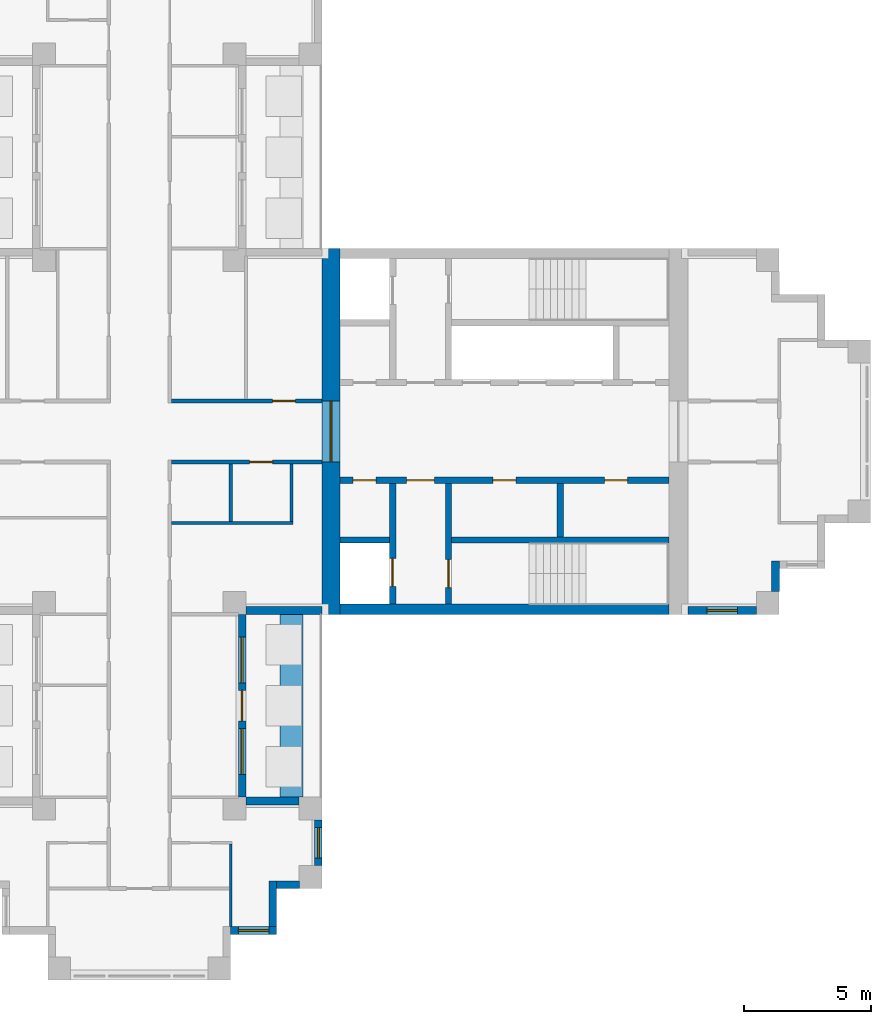
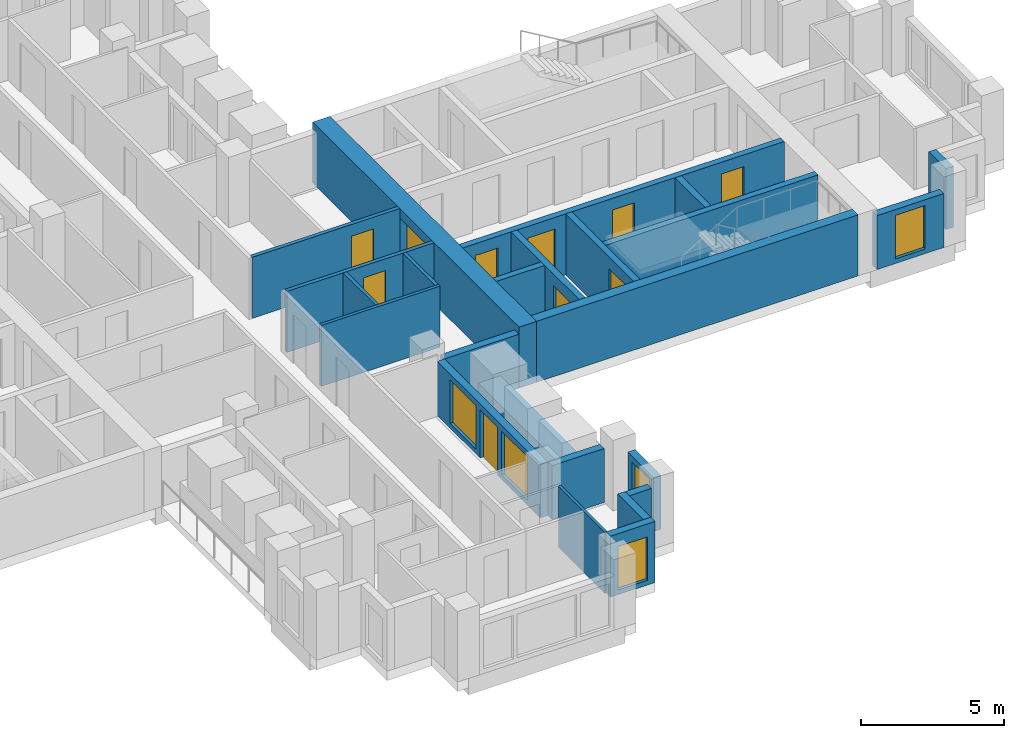
# One storey, part 5 of 10: 24 walls, 10 doors, 5 windows, 15 openings.
"""IFC4 building model written with IfcOpenShell, lengths in metres."""

from ifc_helpers import new_model, si_unit, direction, frame, frame_2d, origin, place, context, subcontext, project, spatial, rectangle, extrude, material, layer, layer_set, type_object, element, fill, save


model = new_model("IFC4")

# Units and contexts
model_context = context("Model", 3, precision=1e-05, world=origin(), true_north=direction((0.0, 1.0)))
body_context = subcontext(model_context, "Body", "Model", "MODEL_VIEW")
ifc_project = project(units=[si_unit("LENGTHUNIT", "METRE"), si_unit("AREAUNIT", "SQUARE_METRE"), si_unit("VOLUMEUNIT", "CUBIC_METRE"), si_unit("PLANEANGLEUNIT", "RADIAN"), si_unit("MASSUNIT", "GRAM", prefix="KILO")], contexts=[model_context])

# Site, building, storey
site_placement = place(None, origin())
site = spatial("IfcSite", under=ifc_project, at=site_placement, CompositionType="ELEMENT")
building_placement = place(site_placement, origin())
building = spatial("IfcBuilding", under=site, at=building_placement, Name="Fustian Cross Tower", CompositionType="ELEMENT")
storey_placement = place(building_placement, frame((0.0, 0.0, 201.89990234375)))
storey = spatial("IfcBuildingStorey", under=building, at=storey_placement, Name="L63", CompositionType="ELEMENT", Elevation=201.89990234375)

# Wall, opening, door
ifc_material_1 = material(Name="Plasterboard on steel stud", Category="steel")
ifc_layer_1 = layer(ifc_material_1, 0.14990234375)
ifc_layer_set_1 = layer_set([ifc_layer_1], Name="Plasterboard on steel stud")
wall_type_1 = type_object("IfcWallType", Name="COMPARTMENT WALL 150 EI 60", PredefinedType="PARTITIONING", material=ifc_layer_set_1)
wall_1_placement = place(storey_placement, frame((1.27490234375, -1.199951171875, 0.0), z_axis=(0.0, 0.0, 1.0), x_axis=(1.0, 0.0, 0.0)))
wall_1 = element("IfcWall", 1, at=wall_1_placement, inside=storey, type_object=wall_type_1, Name="Partition 36", PredefinedType="PARTITIONING", context=body_context, shape_type="SweptSolid", body=[
    extrude(rectangle(XDim=5.925048828125, YDim=0.14990234375, at=frame_2d((2.96240234375, 0.0))), origin(), (0.0, 0.0, 1.0), 2.60009765625),
])
opening_1_placement = place(wall_1_placement, frame((3.074951171875, 0.0, 0.0)))
opening_1 = element("IfcOpeningElement", 2, at=opening_1_placement, cuts=wall_1, Name="Opening D29007", PredefinedType="OPENING", context=body_context, shape_type="SweptSolid", body=[
    extrude(rectangle(XDim=0.89990234375, YDim=2.10009765625, at=frame_2d((0.449951171875, 1.050048828125))), frame((0.0, 0.0849609375, 0.0), z_axis=(0.0, -1.0, 0.0), x_axis=(1.0, 0.0, 0.0)), (0.0, 0.0, 1.0), 0.169921875),
])
ifc_material_2 = material(Name="Timber fire door set", Category="wood")
door_type_1 = type_object("IfcDoorType", Name="FIRE SWING DOOR 900 FD30S", OperationType="SINGLE_SWING_LEFT", PredefinedType="DOOR", material=ifc_material_2)
door_1_placement = place(opening_1_placement, frame((0.89990234375, 0.0, 0.0), z_axis=(0.0, 0.0, 1.0), x_axis=(-1.0, 0.0, 0.0)))
door_1 = element("IfcDoor", 3, at=door_1_placement, inside=storey, type_object=door_type_1, Name="Door D29007", OperationType="SINGLE_SWING_RIGHT", OverallHeight=2.10009765625, OverallWidth=0.89990234375, PredefinedType="DOOR", context=body_context, shape_type="SweptSolid", body=[
    extrude(rectangle(XDim=0.89990234375, YDim=2.10009765625, at=frame_2d((0.449951171875, 1.050048828125))), frame((0.0, 0.02490234375, 0.0), z_axis=(0.0, -1.0, 0.0), x_axis=(1.0, 0.0, 0.0)), (0.0, 0.0, 1.0), 0.050048828125),
])
fill(opening_1, door_1)

wall_2_placement = place(storey_placement, frame((1.27490234375, 1.199951171875, 0.0), z_axis=(0.0, 0.0, 1.0), x_axis=(1.0, 0.0, 0.0)))
wall_2 = element("IfcWall", 4, at=wall_2_placement, inside=storey, type_object=wall_type_1, Name="Partition 38", PredefinedType="PARTITIONING", context=body_context, shape_type="SweptSolid", body=[
    extrude(rectangle(XDim=5.925048828125, YDim=0.14990234375, at=frame_2d((2.96240234375, 0.0))), origin(), (0.0, 0.0, 1.0), 2.60009765625),
])
opening_2_placement = place(wall_2_placement, frame((3.97509765625, 0.0, 0.0)))
opening_2 = element("IfcOpeningElement", 5, at=opening_2_placement, cuts=wall_2, Name="Opening D29002", PredefinedType="OPENING", context=body_context, shape_type="SweptSolid", body=[
    extrude(rectangle(XDim=0.89990234375, YDim=2.10009765625, at=frame_2d((0.449951171875, 1.050048828125))), frame((0.0, 0.0849609375, 0.0), z_axis=(0.0, -1.0, 0.0), x_axis=(1.0, 0.0, 0.0)), (0.0, 0.0, 1.0), 0.169921875),
])
door_2_placement = place(opening_2_placement, origin())
door_2 = element("IfcDoor", 6, at=door_2_placement, inside=storey, type_object=door_type_1, Name="Door D29002", OperationType="SINGLE_SWING_RIGHT", OverallHeight=2.10009765625, OverallWidth=0.89990234375, PredefinedType="DOOR", context=body_context, shape_type="SweptSolid", body=[
    extrude(rectangle(XDim=0.89990234375, YDim=2.10009765625, at=frame_2d((0.449951171875, 1.050048828125))), frame((0.0, 0.02490234375, 0.0), z_axis=(0.0, -1.0, 0.0), x_axis=(1.0, 0.0, 0.0)), (0.0, 0.0, 1.0), 0.050048828125),
])
fill(opening_2, door_2)

ifc_material_3 = material(Name="Concrete C50/60", Category="concrete")
ifc_layer_2 = layer(ifc_material_3, 0.699951171875)
ifc_layer_set_2 = layer_set([ifc_layer_2], Name="Concrete C50/60")
wall_type_2 = type_object("IfcWallType", Name="CORE END WALL 700 C50/60", PredefinedType="SHEAR", material=ifc_layer_set_2)
wall_3_placement = place(storey_placement, frame((7.550048828125, -7.199951171875, 0.0), z_axis=(0.0, 0.0, 1.0), x_axis=(0.0, 1.0, 0.0)))
wall_3 = element("IfcWall", 7, at=wall_3_placement, inside=storey, type_object=wall_type_2, Name="Core end wall", PredefinedType="SHEAR", context=body_context, shape_type="SweptSolid", body=[
    extrude(rectangle(XDim=14.39990234375, YDim=0.699951171875, at=frame_2d((7.199951171875, 0.0))), origin(), (0.0, 0.0, 1.0), 2.60009765625),
])
opening_3_placement = place(wall_3_placement, frame((6.0, 0.0, 0.0)))
opening_3 = element("IfcOpeningElement", 8, at=opening_3_placement, cuts=wall_3, Name="Opening CD-27-12", PredefinedType="OPENING", context=body_context, shape_type="SweptSolid", body=[
    extrude(rectangle(XDim=2.39990234375, YDim=2.199951171875, at=frame_2d((1.199951171875, 1.10009765625))), frame((0.0, 0.35986328125, 0.0), z_axis=(0.0, -1.0, 0.0), x_axis=(1.0, 0.0, 0.0)), (0.0, 0.0, 1.0), 0.719970703125),
])
ifc_material_4 = material(Name="Steel", Category="steel")
door_type_2 = type_object("IfcDoorType", Name="FIRE DOOR FD30S DOUBLE 2400X2200", OperationType="DOUBLE_DOOR_DOUBLE_SWING", PredefinedType="DOOR", material=ifc_material_4)
door_3_placement = place(opening_3_placement, frame((2.39990234375, 0.0, 0.0), z_axis=(0.0, 0.0, 1.0), x_axis=(-1.0, 0.0, 0.0)))
door_3 = element("IfcDoor", 9, at=door_3_placement, inside=storey, type_object=door_type_2, Name="Core door CD-27-12", OperationType="DOUBLE_DOOR_DOUBLE_SWING", OverallHeight=2.199951171875, OverallWidth=2.39990234375, PredefinedType="DOOR", context=body_context, shape_type="SweptSolid", body=[
    extrude(rectangle(XDim=2.39990234375, YDim=2.199951171875, at=frame_2d((1.199951171875, 1.10009765625))), frame((0.0, 0.02490234375, 0.0), z_axis=(0.0, -1.0, 0.0), x_axis=(1.0, 0.0, 0.0)), (0.0, 0.0, 1.0), 0.050048828125),
])
fill(opening_3, door_3)

# Wall
ifc_material_5 = material(Name="Concrete C50/60", Category="concrete")
ifc_layer_3 = layer(ifc_material_5, 0.39990234375)
ifc_layer_set_3 = layer_set([ifc_layer_3], Name="Concrete C50/60")
wall_type_3 = type_object("IfcWallType", Name="CORE FACADE WALL 400 C50/60", PredefinedType="SHEAR", material=ifc_layer_set_3)
wall_4_placement = place(storey_placement, frame((7.89990234375, -7.0, 0.0), z_axis=(0.0, 0.0, 1.0), x_axis=(1.0, 0.0, 0.0)))
element("IfcWall", 10, at=wall_4_placement, inside=storey, type_object=wall_type_3, Name="Core facade wall", PredefinedType="SHEAR", context=body_context, shape_type="SweptSolid", body=[
    extrude(rectangle(XDim=12.9501953125, YDim=0.39990234375, at=frame_2d((6.47509765625, 0.0))), origin(), (0.0, 0.0, 1.0), 2.60009765625),
])

# Wall, openings, doors
ifc_material_6 = material(Name="Concrete C50/60", Category="concrete")
ifc_layer_4 = layer(ifc_material_6, 0.25)
ifc_layer_set_4 = layer_set([ifc_layer_4], Name="Concrete C50/60")
wall_type_4 = type_object("IfcWallType", Name="CORE LOBBY WALL 250 C50/60", PredefinedType="SHEAR", material=ifc_layer_set_4)
wall_5_placement = place(storey_placement, frame((7.89990234375, -1.925048828125, 0.0), z_axis=(0.0, 0.0, 1.0), x_axis=(1.0, 0.0, 0.0)))
wall_5 = element("IfcWall", 11, at=wall_5_placement, inside=storey, type_object=wall_type_4, Name="Core lobby wall", PredefinedType="SHEAR", context=body_context, shape_type="SweptSolid", body=[
    extrude(rectangle(XDim=12.9501953125, YDim=0.25, at=frame_2d((6.47509765625, 0.0))), origin(), (0.0, 0.0, 1.0), 2.60009765625),
])
opening_4_placement = place(wall_5_placement, frame((0.52490234375, 0.0, 0.0)))
opening_4 = element("IfcOpeningElement", 12, at=opening_4_placement, cuts=wall_5, Name="Opening CD-27-09", PredefinedType="OPENING", context=body_context, shape_type="SweptSolid", body=[
    extrude(rectangle(XDim=0.89990234375, YDim=2.10009765625, at=frame_2d((0.449951171875, 1.050048828125))), frame((0.0, 0.135009765625, 0.0), z_axis=(0.0, -1.0, 0.0), x_axis=(1.0, 0.0, 0.0)), (0.0, 0.0, 1.0), 0.27001953125),
])
opening_5_placement = place(wall_5_placement, frame((2.625, 0.0, 0.0)))
opening_5 = element("IfcOpeningElement", 13, at=opening_5_placement, cuts=wall_5, Name="Opening CD-27-11", PredefinedType="OPENING", context=body_context, shape_type="SweptSolid", body=[
    extrude(rectangle(XDim=1.10009765625, YDim=2.10009765625, at=frame_2d((0.550048828125, 1.050048828125))), frame((0.0, 0.135009765625, 0.0), z_axis=(0.0, -1.0, 0.0), x_axis=(1.0, 0.0, 0.0)), (0.0, 0.0, 1.0), 0.27001953125),
])
opening_6_placement = place(wall_5_placement, frame((6.02490234375, 0.0, 0.0)))
opening_6 = element("IfcOpeningElement", 14, at=opening_6_placement, cuts=wall_5, Name="Opening CD-27-15", PredefinedType="OPENING", context=body_context, shape_type="SweptSolid", body=[
    extrude(rectangle(XDim=0.89990234375, YDim=2.10009765625, at=frame_2d((0.449951171875, 1.050048828125))), frame((0.0, 0.135009765625, 0.0), z_axis=(0.0, -1.0, 0.0), x_axis=(1.0, 0.0, 0.0)), (0.0, 0.0, 1.0), 0.27001953125),
])
opening_7_placement = place(wall_5_placement, frame((10.425048828125, 0.0, 0.0)))
opening_7 = element("IfcOpeningElement", 15, at=opening_7_placement, cuts=wall_5, Name="Opening CD-27-16", PredefinedType="OPENING", context=body_context, shape_type="SweptSolid", body=[
    extrude(rectangle(XDim=0.89990234375, YDim=2.10009765625, at=frame_2d((0.449951171875, 1.050048828125))), frame((0.0, 0.135009765625, 0.0), z_axis=(0.0, -1.0, 0.0), x_axis=(1.0, 0.0, 0.0)), (0.0, 0.0, 1.0), 0.27001953125),
])
ifc_material_7 = material(Name="Steel", Category="steel")
door_type_3 = type_object("IfcDoorType", Name="FIRE DOOR FD30S 1100X2100", OperationType="SINGLE_SWING_LEFT", PredefinedType="DOOR", material=ifc_material_7)
door_4_placement = place(opening_5_placement, frame((1.10009765625, 0.0, 0.0), z_axis=(0.0, 0.0, 1.0), x_axis=(-1.0, 0.0, 0.0)))
door_4 = element("IfcDoor", 16, at=door_4_placement, inside=storey, type_object=door_type_3, Name="Core door CD-27-11", OperationType="SINGLE_SWING_RIGHT", OverallHeight=2.10009765625, OverallWidth=1.10009765625, PredefinedType="DOOR", context=body_context, shape_type="SweptSolid", body=[
    extrude(rectangle(XDim=1.10009765625, YDim=2.10009765625, at=frame_2d((0.550048828125, 1.050048828125))), frame((0.0, 0.02490234375, 0.0), z_axis=(0.0, -1.0, 0.0), x_axis=(1.0, 0.0, 0.0)), (0.0, 0.0, 1.0), 0.050048828125),
])
fill(opening_5, door_4)
ifc_material_8 = material(Name="Steel", Category="steel")
door_type_4 = type_object("IfcDoorType", Name="FIRE DOOR FD30S 900X2100", OperationType="SINGLE_SWING_LEFT", PredefinedType="DOOR", material=ifc_material_8)
door_5_placement = place(opening_4_placement, frame((0.89990234375, 0.0, 0.0), z_axis=(0.0, 0.0, 1.0), x_axis=(-1.0, 0.0, 0.0)))
door_5 = element("IfcDoor", 17, at=door_5_placement, inside=storey, type_object=door_type_4, Name="Core door CD-27-09", OperationType="SINGLE_SWING_RIGHT", OverallHeight=2.10009765625, OverallWidth=0.89990234375, PredefinedType="DOOR", context=body_context, shape_type="SweptSolid", body=[
    extrude(rectangle(XDim=0.89990234375, YDim=2.10009765625, at=frame_2d((0.449951171875, 1.050048828125))), frame((0.0, 0.02490234375, 0.0), z_axis=(0.0, -1.0, 0.0), x_axis=(1.0, 0.0, 0.0)), (0.0, 0.0, 1.0), 0.050048828125),
])
fill(opening_4, door_5)
door_6_placement = place(opening_6_placement, frame((0.89990234375, 0.0, 0.0), z_axis=(0.0, 0.0, 1.0), x_axis=(-1.0, 0.0, 0.0)))
door_6 = element("IfcDoor", 18, at=door_6_placement, inside=storey, type_object=door_type_4, Name="Core door CD-27-15", OperationType="SINGLE_SWING_LEFT", OverallHeight=2.10009765625, OverallWidth=0.89990234375, PredefinedType="DOOR", context=body_context, shape_type="SweptSolid", body=[
    extrude(rectangle(XDim=0.89990234375, YDim=2.10009765625, at=frame_2d((0.449951171875, 1.050048828125))), frame((0.0, 0.02490234375, 0.0), z_axis=(0.0, -1.0, 0.0), x_axis=(1.0, 0.0, 0.0)), (0.0, 0.0, 1.0), 0.050048828125),
])
fill(opening_6, door_6)
door_7_placement = place(opening_7_placement, frame((0.89990234375, 0.0, 0.0), z_axis=(0.0, 0.0, 1.0), x_axis=(-1.0, 0.0, 0.0)))
door_7 = element("IfcDoor", 19, at=door_7_placement, inside=storey, type_object=door_type_4, Name="Core door CD-27-16", OperationType="SINGLE_SWING_LEFT", OverallHeight=2.10009765625, OverallWidth=0.89990234375, PredefinedType="DOOR", context=body_context, shape_type="SweptSolid", body=[
    extrude(rectangle(XDim=0.89990234375, YDim=2.10009765625, at=frame_2d((0.449951171875, 1.050048828125))), frame((0.0, 0.02490234375, 0.0), z_axis=(0.0, -1.0, 0.0), x_axis=(1.0, 0.0, 0.0)), (0.0, 0.0, 1.0), 0.050048828125),
])
fill(opening_7, door_7)

# Walls
ifc_material_9 = material(Name="Concrete C50/60", Category="concrete")
ifc_layer_5 = layer(ifc_material_9, 0.25)
ifc_layer_set_5 = layer_set([ifc_layer_5], Name="Concrete C50/60")
wall_type_5 = type_object("IfcWallType", Name="CORE SHAFT WALL 250 C50/60", PredefinedType="SHEAR", material=ifc_layer_set_5)
wall_6_placement = place(storey_placement, frame((7.89990234375, -4.27490234375, 0.0), z_axis=(0.0, 0.0, 1.0), x_axis=(1.0, 0.0, 0.0)))
element("IfcWall", 20, at=wall_6_placement, inside=storey, type_object=wall_type_5, Name="Core shaft wall", PredefinedType="SHEAR", context=body_context, shape_type="SweptSolid", body=[
    extrude(rectangle(XDim=1.9501953125, YDim=0.25, at=frame_2d((0.97509765625, 0.0))), origin(), (0.0, 0.0, 1.0), 2.60009765625),
])
wall_7_placement = place(storey_placement, frame((12.300048828125, -4.27490234375, 0.0), z_axis=(0.0, 0.0, 1.0), x_axis=(1.0, 0.0, 0.0)))
element("IfcWall", 21, at=wall_7_placement, inside=storey, type_object=wall_type_5, Name="Core shaft wall", PredefinedType="SHEAR", context=body_context, shape_type="SweptSolid", body=[
    extrude(rectangle(XDim=8.550048828125, YDim=0.25, at=frame_2d((4.27490234375, 0.0))), origin(), (0.0, 0.0, 1.0), 2.60009765625),
])

# Wall, opening, door
wall_8_placement = place(storey_placement, frame((9.97509765625, -2.050048828125, 0.0), z_axis=(0.0, 0.0, 1.0), x_axis=(0.0, -1.0, 0.0)))
wall_8 = element("IfcWall", 22, at=wall_8_placement, inside=storey, type_object=wall_type_5, Name="Core shaft wall", PredefinedType="SHEAR", context=body_context, shape_type="SweptSolid", body=[
    extrude(rectangle(XDim=4.75, YDim=0.25, at=frame_2d((2.375, 0.0))), origin(), (0.0, 0.0, 1.0), 2.60009765625),
])
opening_8_placement = place(wall_8_placement, frame((2.949951171875, 0.0, 0.0)))
opening_8 = element("IfcOpeningElement", 23, at=opening_8_placement, cuts=wall_8, Name="Opening LD", PredefinedType="OPENING", context=body_context, shape_type="SweptSolid", body=[
    extrude(rectangle(XDim=1.10009765625, YDim=2.10009765625, at=frame_2d((0.550048828125, 1.050048828125))), frame((0.0, 0.135009765625, 0.0), z_axis=(0.0, -1.0, 0.0), x_axis=(1.0, 0.0, 0.0)), (0.0, 0.0, 1.0), 0.27001953125),
])
ifc_material_10 = material(Name="Stainless steel", Category="steel")
door_type_5 = type_object("IfcDoorType", Name="LIFT LANDING DOOR 1100X2100", OperationType="SLIDING_TO_LEFT", PredefinedType="DOOR", material=ifc_material_10)
door_8_placement = place(opening_8_placement, origin())
door_8 = element("IfcDoor", 24, at=door_8_placement, inside=storey, type_object=door_type_5, Name="Landing door SV1", OperationType="SLIDING_TO_LEFT", OverallHeight=2.10009765625, OverallWidth=1.10009765625, PredefinedType="DOOR", context=body_context, shape_type="SweptSolid", body=[
    extrude(rectangle(XDim=1.10009765625, YDim=2.10009765625, at=frame_2d((0.550048828125, 1.050048828125))), frame((0.0, 0.02490234375, 0.0), z_axis=(0.0, -1.0, 0.0), x_axis=(1.0, 0.0, 0.0)), (0.0, 0.0, 1.0), 0.050048828125),
])
fill(opening_8, door_8)

wall_9_placement = place(storey_placement, frame((12.175048828125, -2.050048828125, 0.0), z_axis=(0.0, 0.0, 1.0), x_axis=(0.0, -1.0, 0.0)))
wall_9 = element("IfcWall", 25, at=wall_9_placement, inside=storey, type_object=wall_type_5, Name="Core shaft wall", PredefinedType="SHEAR", context=body_context, shape_type="SweptSolid", body=[
    extrude(rectangle(XDim=4.75, YDim=0.25, at=frame_2d((2.375, 0.0))), origin(), (0.0, 0.0, 1.0), 2.60009765625),
])
opening_9_placement = place(wall_9_placement, frame((3.0, 0.0, 0.0)))
opening_9 = element("IfcOpeningElement", 26, at=opening_9_placement, cuts=wall_9, Name="Opening CD-27-07", PredefinedType="OPENING", context=body_context, shape_type="SweptSolid", body=[
    extrude(rectangle(XDim=1.10009765625, YDim=2.10009765625, at=frame_2d((0.550048828125, 1.050048828125))), frame((0.0, 0.135009765625, 0.0), z_axis=(0.0, -1.0, 0.0), x_axis=(1.0, 0.0, 0.0)), (0.0, 0.0, 1.0), 0.27001953125),
])
ifc_material_11 = material(Name="Steel", Category="steel")
door_type_6 = type_object("IfcDoorType", Name="FIRE DOOR FD60S 1100X2100", OperationType="SINGLE_SWING_LEFT", PredefinedType="DOOR", material=ifc_material_11)
door_9_placement = place(opening_9_placement, origin())
door_9 = element("IfcDoor", 27, at=door_9_placement, inside=storey, type_object=door_type_6, Name="Core door CD-27-07", OperationType="SINGLE_SWING_LEFT", OverallHeight=2.10009765625, OverallWidth=1.10009765625, PredefinedType="DOOR", context=body_context, shape_type="SweptSolid", body=[
    extrude(rectangle(XDim=1.10009765625, YDim=2.10009765625, at=frame_2d((0.550048828125, 1.050048828125))), frame((0.0, 0.02490234375, 0.0), z_axis=(0.0, -1.0, 0.0), x_axis=(1.0, 0.0, 0.0)), (0.0, 0.0, 1.0), 0.050048828125),
])
fill(opening_9, door_9)

# Walls
ifc_material_12 = material(Name="Plasterboard on steel stud", Category="steel")
ifc_layer_6 = layer(ifc_material_12, 0.10009765625)
ifc_layer_set_6 = layer_set([ifc_layer_6], Name="Plasterboard on steel stud")
wall_type_6 = type_object("IfcWallType", Name="PARTITION 100 STUD", PredefinedType="PARTITIONING", material=ifc_layer_set_6)
wall_10_placement = place(storey_placement, frame((3.60009765625, -19.5, 0.0), z_axis=(0.0, 0.0, 1.0), x_axis=(0.0, 1.0, 0.0)))
element("IfcWall", 28, at=wall_10_placement, inside=storey, type_object=wall_type_6, Name="Partition 43", PredefinedType="PARTITIONING", context=body_context, shape_type="SweptSolid", body=[
    extrude(rectangle(XDim=3.25, YDim=0.10009765625, at=frame_2d((1.625, 0.0))), origin(), (0.0, 0.0, 1.0), 2.60009765625),
])
ifc_material_13 = material(Name="Concrete C40/50", Category="concrete")
ifc_layer_7 = layer(ifc_material_13, 0.89990234375)
ifc_layer_set_7 = layer_set([ifc_layer_7], Name="Concrete C40/50")
wall_type_7 = type_object("IfcWallType", Name="PK1 PLANTER 900", PredefinedType="PARAPET", material=ifc_layer_set_7)
wall_11_placement = place(storey_placement, frame((6.0, -14.39990234375, 0.0), z_axis=(0.0, 0.0, 1.0), x_axis=(0.0, 1.0, 0.0)))
element("IfcWall", 29, at=wall_11_placement, inside=storey, type_object=wall_type_7, Name="PLANTER", PredefinedType="PARAPET", context=body_context, shape_type="SweptSolid", body=[
    extrude(rectangle(XDim=7.199951171875, YDim=0.89990234375, at=frame_2d((3.60009765625, 0.0))), origin(), (0.0, 0.0, 1.0), 0.800048828125),
])
ifc_material_14 = material(Name="Concrete C40/50", Category="concrete")
ifc_layer_8 = layer(ifc_material_14, 0.25)
ifc_layer_set_8 = layer_set([ifc_layer_8], Name="Concrete C40/50")
wall_type_8 = type_object("IfcWallType", Name="SHAFT PARTITION WALL 250 C40/50", PredefinedType="PARTITIONING", material=ifc_layer_set_8)
wall_12_placement = place(storey_placement, frame((16.574951171875, -2.050048828125, 0.0), z_axis=(0.0, 0.0, 1.0), x_axis=(0.0, -1.0, 0.0)))
element("IfcWall", 30, at=wall_12_placement, inside=storey, type_object=wall_type_8, Name="Core shaft wall", PredefinedType="PARTITIONING", context=body_context, shape_type="SweptSolid", body=[
    extrude(rectangle(XDim=2.099853515625, YDim=0.25, at=frame_2d((1.0498046875, 0.0))), origin(), (0.0, 0.0, 1.0), 2.60009765625),
])
ifc_material_15 = material(Name="Plasterboard on steel stud", Category="steel")
ifc_layer_9 = layer(ifc_material_15, 0.125)
ifc_layer_set_9 = layer_set([ifc_layer_9], Name="Plasterboard on steel stud")
wall_type_9 = type_object("IfcWallType", Name="WET WALL 125 STUD", PredefinedType="PARTITIONING", material=ifc_layer_set_9)
wall_13_placement = place(storey_placement, frame((1.27490234375, -3.60009765625, 0.0), z_axis=(0.0, 0.0, 1.0), x_axis=(1.0, 0.0, 0.0)))
element("IfcWall", 31, at=wall_13_placement, inside=storey, type_object=wall_type_9, Name="Partition 35", PredefinedType="PARTITIONING", context=body_context, shape_type="SweptSolid", body=[
    extrude(rectangle(XDim=4.78759765625, YDim=0.125, at=frame_2d((2.393798828125, 0.0))), origin(), (0.0, 0.0, 1.0), 2.60009765625),
])
for number, where, z_axis, x_axis, name in (
    (32, (3.60009765625, -3.53759765625, 0.0), (0.0, 0.0, 1.0), (0.0, 1.0, 0.0), "Partition 44"),
    (33, (6.0, -3.53759765625, 0.0), (0.0, 0.0, 1.0), (0.0, 1.0, 0.0), "Partition 47"),
):
    element("IfcWall", number, at=place(storey_placement, frame(where, z_axis=z_axis, x_axis=x_axis)), inside=storey, type_object=wall_type_9, Name=name, PredefinedType="PARTITIONING", context=body_context, shape_type="SweptSolid", body=[
        extrude(rectangle(XDim=2.2626953125, YDim=0.125, at=frame_2d((1.13134765625, 0.0))), origin(), (0.0, 0.0, 1.0), 2.60009765625),
    ])

# Wall, opening, window
ifc_material_16 = material(Name="Dark aluminium cladding on insulated backing wall", Category="aluminium")
ifc_layer_10 = layer(ifc_material_16, 0.300048828125)
ifc_layer_set_10 = layer_set([ifc_layer_10], Name="Dark aluminium cladding on insulated backing wall")
wall_type_10 = type_object("IfcWallType", Name="XW1 EXTERNAL WALL 300", PredefinedType="SOLIDWALL", material=ifc_layer_set_10)
wall_14_placement = place(storey_placement, frame((21.60009765625, -7.050048828125, 0.0), z_axis=(0.0, 0.0, 1.0), x_axis=(1.0, 0.0, 0.0)))
wall_14 = element("IfcWall", 34, at=wall_14_placement, inside=storey, type_object=wall_type_10, Name="External wall", PredefinedType="SOLIDWALL", context=body_context, shape_type="SweptSolid", body=[
    extrude(rectangle(XDim=2.699951171875, YDim=0.300048828125, at=frame_2d((1.35009765625, 0.0))), origin(), (0.0, 0.0, 1.0), 2.300048828125),
])
opening_10_placement = place(wall_14_placement, frame((0.75, 0.0, 0.199951171875)))
opening_10 = element("IfcOpeningElement", 35, at=opening_10_placement, cuts=wall_14, Name="Opening WN3", PredefinedType="OPENING", context=body_context, shape_type="SweptSolid", body=[
    extrude(rectangle(XDim=1.199951171875, YDim=1.85009765625, at=frame_2d((0.60009765625, 0.925048828125))), frame((0.0, 0.159912109375, 0.0), z_axis=(0.0, -1.0, 0.0), x_axis=(1.0, 0.0, 0.0)), (0.0, 0.0, 1.0), 0.320068359375),
])
ifc_material_17 = material(Name="Dark anodised aluminium and double glazing", Category="aluminium")
window_type_1 = type_object("IfcWindowType", Name="WN3 WINDOW 1200X1850", PartitioningType="SINGLE_PANEL", PredefinedType="WINDOW", material=ifc_material_17)
window_1_placement = place(opening_10_placement, origin())
window_1 = element("IfcWindow", 36, at=window_1_placement, inside=storey, type_object=window_type_1, Name="Window", OverallHeight=1.85009765625, OverallWidth=1.199951171875, PartitioningType="SINGLE_PANEL", PredefinedType="WINDOW", context=body_context, shape_type="SweptSolid", body=[
    extrude(rectangle(XDim=1.199951171875, YDim=1.85009765625, at=frame_2d((0.60009765625, 0.925048828125))), frame((0.0, 0.030029296875, 0.0), z_axis=(0.0, -1.0, 0.0), x_axis=(1.0, 0.0, 0.0)), (0.0, 0.0, 1.0), 0.06005859375),
])
fill(opening_10, window_1)

# Wall
wall_15_placement = place(storey_placement, frame((25.050048828125, -6.300048828125, 0.0), z_axis=(0.0, 0.0, 1.0), x_axis=(0.0, 1.0, 0.0)))
element("IfcWall", 37, at=wall_15_placement, inside=storey, type_object=wall_type_10, Name="External wall", PredefinedType="SOLIDWALL", context=body_context, shape_type="SweptSolid", body=[
    extrude(rectangle(XDim=1.199951171875, YDim=0.300048828125, at=frame_2d((0.60009765625, 0.0))), origin(), (0.0, 0.0, 1.0), 2.60009765625),
])

# Wall, opening, window
wall_16_placement = place(storey_placement, frame((3.60009765625, -19.64990234375, 0.0), z_axis=(0.0, 0.0, 1.0), x_axis=(1.0, 0.0, 0.0)))
wall_16 = element("IfcWall", 38, at=wall_16_placement, inside=storey, type_object=wall_type_10, Name="External wall", PredefinedType="SOLIDWALL", context=body_context, shape_type="SweptSolid", body=[
    extrude(rectangle(XDim=1.7998046875, YDim=0.300048828125, at=frame_2d((0.89990234375, 0.0))), origin(), (0.0, 0.0, 1.0), 2.60009765625),
])
opening_11_placement = place(wall_16_placement, frame((0.300048828125, 0.0, 0.199951171875)))
opening_11 = element("IfcOpeningElement", 39, at=opening_11_placement, cuts=wall_16, Name="Opening WN3", PredefinedType="OPENING", context=body_context, shape_type="SweptSolid", body=[
    extrude(rectangle(XDim=1.199951171875, YDim=1.85009765625, at=frame_2d((0.60009765625, 0.925048828125))), frame((0.0, 0.159912109375, 0.0), z_axis=(0.0, -1.0, 0.0), x_axis=(1.0, 0.0, 0.0)), (0.0, 0.0, 1.0), 0.320068359375),
])
window_2_placement = place(opening_11_placement, origin())
window_2 = element("IfcWindow", 40, at=window_2_placement, inside=storey, type_object=window_type_1, Name="Window", OverallHeight=1.85009765625, OverallWidth=1.199951171875, PartitioningType="SINGLE_PANEL", PredefinedType="WINDOW", context=body_context, shape_type="SweptSolid", body=[
    extrude(rectangle(XDim=1.199951171875, YDim=1.85009765625, at=frame_2d((0.60009765625, 0.925048828125))), frame((0.0, 0.030029296875, 0.0), z_axis=(0.0, -1.0, 0.0), x_axis=(1.0, 0.0, 0.0)), (0.0, 0.0, 1.0), 0.06005859375),
])
fill(opening_11, window_2)

# Walls
wall_17_placement = place(storey_placement, frame((5.25, -19.5, 0.0), z_axis=(0.0, 0.0, 1.0), x_axis=(0.0, 1.0, 0.0)))
element("IfcWall", 41, at=wall_17_placement, inside=storey, type_object=wall_type_10, Name="External wall", PredefinedType="SOLIDWALL", context=body_context, shape_type="SweptSolid", body=[
    extrude(rectangle(XDim=1.800048828125, YDim=0.300048828125, at=frame_2d((0.89990234375, 0.0))), origin(), (0.0, 0.0, 1.0), 2.60009765625),
])
wall_18_placement = place(storey_placement, frame((5.39990234375, -17.85009765625, 0.0), z_axis=(0.0, 0.0, 1.0), x_axis=(1.0, 0.0, 0.0)))
element("IfcWall", 42, at=wall_18_placement, inside=storey, type_object=wall_type_10, Name="External wall", PredefinedType="SOLIDWALL", context=body_context, shape_type="SweptSolid", body=[
    extrude(rectangle(XDim=0.900146484375, YDim=0.300048828125, at=frame_2d((0.4501953125, 0.0))), origin(), (0.0, 0.0, 1.0), 2.60009765625),
])

# Wall, opening, window
wall_19_placement = place(storey_placement, frame((7.050048828125, -17.10009765625, 0.0), z_axis=(0.0, 0.0, 1.0), x_axis=(0.0, 1.0, 0.0)))
wall_19 = element("IfcWall", 43, at=wall_19_placement, inside=storey, type_object=wall_type_10, Name="External wall", PredefinedType="SOLIDWALL", context=body_context, shape_type="SweptSolid", body=[
    extrude(rectangle(XDim=1.800048828125, YDim=0.300048828125, at=frame_2d((0.89990234375, 0.0))), origin(), (0.0, 0.0, 1.0), 2.300048828125),
])
opening_12_placement = place(wall_19_placement, frame((0.300048828125, 0.0, 0.199951171875)))
opening_12 = element("IfcOpeningElement", 44, at=opening_12_placement, cuts=wall_19, Name="Opening WN3", PredefinedType="OPENING", context=body_context, shape_type="SweptSolid", body=[
    extrude(rectangle(XDim=1.199951171875, YDim=1.85009765625, at=frame_2d((0.60009765625, 0.925048828125))), frame((0.0, 0.159912109375, 0.0), z_axis=(0.0, -1.0, 0.0), x_axis=(1.0, 0.0, 0.0)), (0.0, 0.0, 1.0), 0.320068359375),
])
window_3_placement = place(opening_12_placement, origin())
window_3 = element("IfcWindow", 45, at=window_3_placement, inside=storey, type_object=window_type_1, Name="Window", OverallHeight=1.85009765625, OverallWidth=1.199951171875, PartitioningType="SINGLE_PANEL", PredefinedType="WINDOW", context=body_context, shape_type="SweptSolid", body=[
    extrude(rectangle(XDim=1.199951171875, YDim=1.85009765625, at=frame_2d((0.60009765625, 0.925048828125))), frame((0.0, 0.030029296875, 0.0), z_axis=(0.0, -1.0, 0.0), x_axis=(1.0, 0.0, 0.0)), (0.0, 0.0, 1.0), 0.06005859375),
])
fill(opening_12, window_3)

# Wall
wall_20_placement = place(storey_placement, frame((6.300048828125, -14.550048828125, 0.0), z_axis=(0.0, 0.0, 1.0), x_axis=(-1.0, 0.0, 0.0)))
element("IfcWall", 46, at=wall_20_placement, inside=storey, type_object=wall_type_10, Name="External wall", PredefinedType="SOLIDWALL", context=body_context, shape_type="SweptSolid", body=[
    extrude(rectangle(XDim=2.10009765625, YDim=0.300048828125, at=frame_2d((1.050048828125, 0.0))), origin(), (0.0, 0.0, 1.0), 2.300048828125),
])

# Wall, openings, door, windows
wall_21_placement = place(storey_placement, frame((4.050048828125, -14.39990234375, 0.0), z_axis=(0.0, 0.0, 1.0), x_axis=(0.0, 1.0, 0.0)))
wall_21 = element("IfcWall", 47, at=wall_21_placement, inside=storey, type_object=wall_type_10, Name="External wall", PredefinedType="SOLIDWALL", context=body_context, shape_type="SweptSolid", body=[
    extrude(rectangle(XDim=7.199951171875, YDim=0.300048828125, at=frame_2d((3.60009765625, 0.0))), origin(), (0.0, 0.0, 1.0), 2.300048828125),
])
opening_13_placement = place(wall_21_placement, frame((3.0, 0.0, 0.0)))
opening_13 = element("IfcOpeningElement", 48, at=opening_13_placement, cuts=wall_21, Name="Opening XD3", PredefinedType="OPENING", context=body_context, shape_type="SweptSolid", body=[
    extrude(rectangle(XDim=1.199951171875, YDim=2.050048828125, at=frame_2d((0.60009765625, 1.02490234375))), frame((0.0, 0.159912109375, 0.0), z_axis=(0.0, -1.0, 0.0), x_axis=(1.0, 0.0, 0.0)), (0.0, 0.0, 1.0), 0.320068359375),
])
opening_14_placement = place(wall_21_placement, frame((0.89990234375, 0.0, 0.199951171875)))
opening_14 = element("IfcOpeningElement", 49, at=opening_14_placement, cuts=wall_21, Name="Opening WN2", PredefinedType="OPENING", context=body_context, shape_type="SweptSolid", body=[
    extrude(rectangle(XDim=1.800048828125, YDim=1.85009765625, at=frame_2d((0.89990234375, 0.925048828125))), frame((0.0, 0.159912109375, 0.0), z_axis=(0.0, -1.0, 0.0), x_axis=(1.0, 0.0, 0.0)), (0.0, 0.0, 1.0), 0.320068359375),
])
opening_15_placement = place(wall_21_placement, frame((4.5, 0.0, 0.199951171875)))
opening_15 = element("IfcOpeningElement", 50, at=opening_15_placement, cuts=wall_21, Name="Opening WN2", PredefinedType="OPENING", context=body_context, shape_type="SweptSolid", body=[
    extrude(rectangle(XDim=1.800048828125, YDim=1.85009765625, at=frame_2d((0.89990234375, 0.925048828125))), frame((0.0, 0.159912109375, 0.0), z_axis=(0.0, -1.0, 0.0), x_axis=(1.0, 0.0, 0.0)), (0.0, 0.0, 1.0), 0.320068359375),
])
ifc_material_18 = material(Name="Dark anodised aluminium and double glazing", Category="aluminium")
door_type_7 = type_object("IfcDoorType", Name="ED1 BALCONY DOOR 1200X2050", OperationType="SINGLE_SWING_LEFT", PredefinedType="DOOR", material=ifc_material_18)
door_10_placement = place(opening_13_placement, origin())
door_10 = element("IfcDoor", 51, at=door_10_placement, inside=storey, type_object=door_type_7, Name="Balcony door", OperationType="SINGLE_SWING_LEFT", OverallHeight=2.050048828125, OverallWidth=1.199951171875, PredefinedType="DOOR", context=body_context, shape_type="SweptSolid", body=[
    extrude(rectangle(XDim=1.199951171875, YDim=2.050048828125, at=frame_2d((0.60009765625, 1.02490234375))), frame((0.0, 0.02490234375, 0.0), z_axis=(0.0, -1.0, 0.0), x_axis=(1.0, 0.0, 0.0)), (0.0, 0.0, 1.0), 0.050048828125),
])
fill(opening_13, door_10)
ifc_material_19 = material(Name="Dark anodised aluminium and double glazing", Category="aluminium")
window_type_2 = type_object("IfcWindowType", Name="WN2 WINDOW 1800X1850", PartitioningType="SINGLE_PANEL", PredefinedType="WINDOW", material=ifc_material_19)
window_4_placement = place(opening_14_placement, origin())
window_4 = element("IfcWindow", 52, at=window_4_placement, inside=storey, type_object=window_type_2, Name="Window", OverallHeight=1.85009765625, OverallWidth=1.800048828125, PartitioningType="SINGLE_PANEL", PredefinedType="WINDOW", context=body_context, shape_type="SweptSolid", body=[
    extrude(rectangle(XDim=1.800048828125, YDim=1.85009765625, at=frame_2d((0.89990234375, 0.925048828125))), frame((0.0, 0.030029296875, 0.0), z_axis=(0.0, -1.0, 0.0), x_axis=(1.0, 0.0, 0.0)), (0.0, 0.0, 1.0), 0.06005859375),
])
fill(opening_14, window_4)
window_5_placement = place(opening_15_placement, origin())
window_5 = element("IfcWindow", 53, at=window_5_placement, inside=storey, type_object=window_type_2, Name="Window", OverallHeight=1.85009765625, OverallWidth=1.800048828125, PartitioningType="SINGLE_PANEL", PredefinedType="WINDOW", context=body_context, shape_type="SweptSolid", body=[
    extrude(rectangle(XDim=1.800048828125, YDim=1.85009765625, at=frame_2d((0.89990234375, 0.925048828125))), frame((0.0, 0.030029296875, 0.0), z_axis=(0.0, -1.0, 0.0), x_axis=(1.0, 0.0, 0.0)), (0.0, 0.0, 1.0), 0.06005859375),
])
fill(opening_15, window_5)

# Wall
wall_22_placement = place(storey_placement, frame((4.199951171875, -7.050048828125, 0.0), z_axis=(0.0, 0.0, 1.0), x_axis=(1.0, 0.0, 0.0)))
element("IfcWall", 54, at=wall_22_placement, inside=storey, type_object=wall_type_10, Name="External wall", PredefinedType="SOLIDWALL", context=body_context, shape_type="SweptSolid", body=[
    extrude(rectangle(XDim=3.0, YDim=0.300048828125, at=frame_2d((1.5, 0.0))), origin(), (0.0, 0.0, 1.0), 2.300048828125),
])

save(model, "model.ifc")
